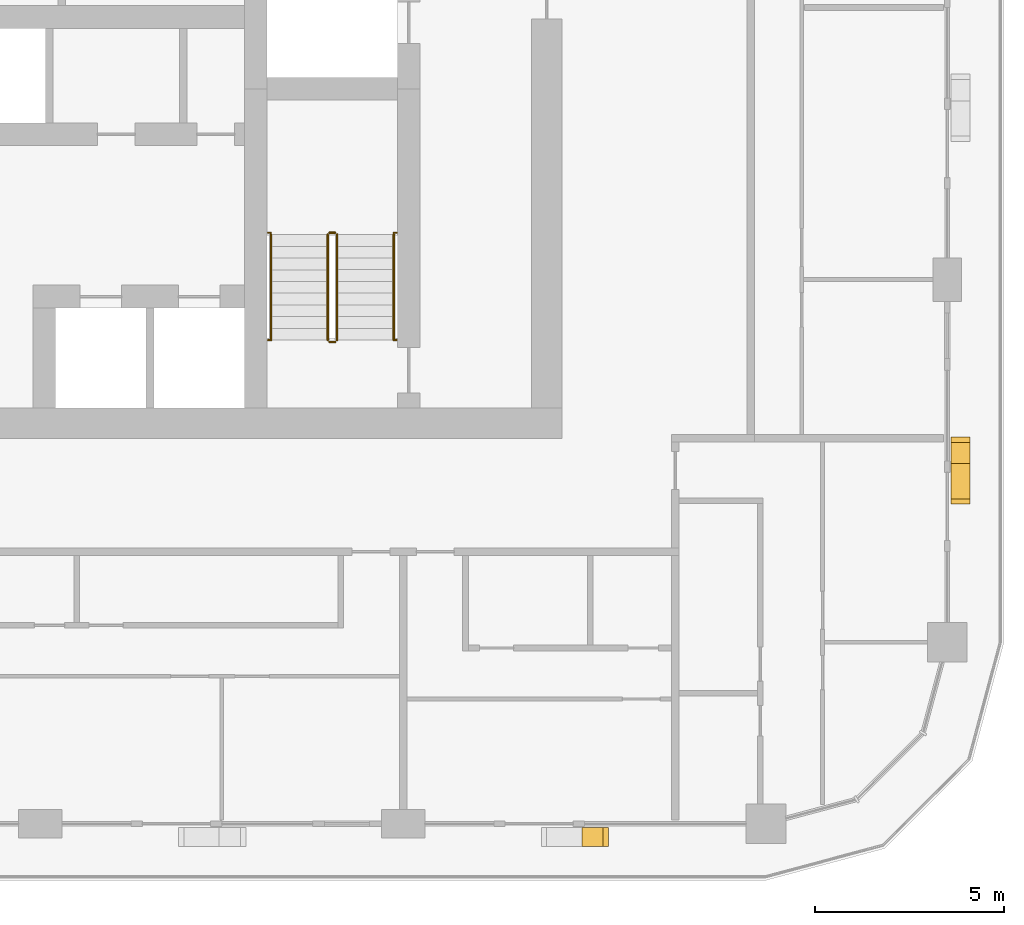
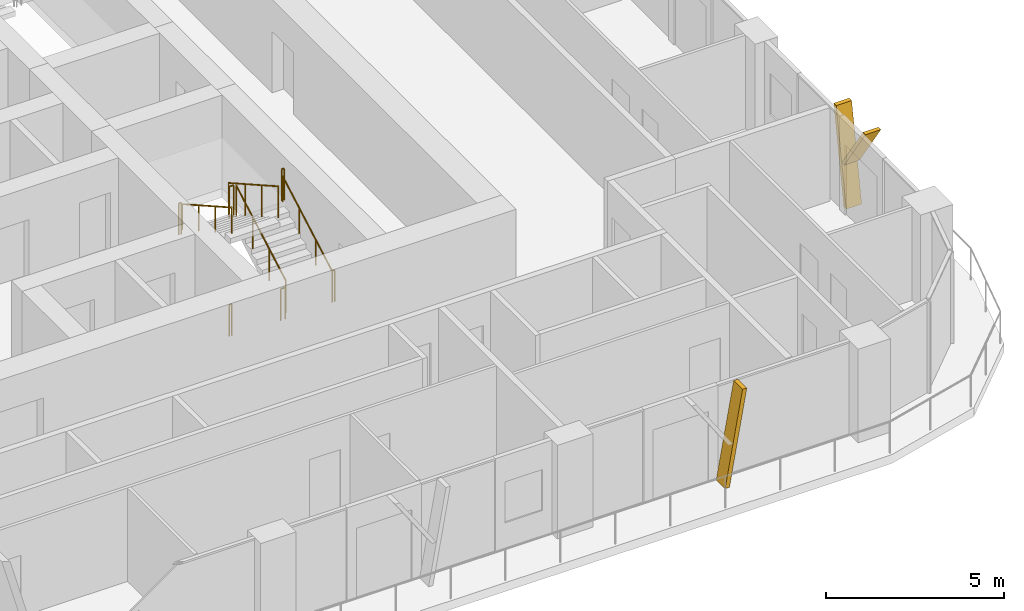
# One storey, part 19 of 22: 10 railings, 3 shading devices.
"""IFC4 building model written with IfcOpenShell, lengths in metres."""

from ifc_helpers import new_model, si_unit, direction, frame, origin, origin_2d, place, context, subcontext, project, spatial, polyline, circle, outline, extrude, material, type_object, element, save


model = new_model("IFC4")

# Units and contexts
model_context = context("Model", 3, precision=1e-05, world=origin(), true_north=direction((0.0, 1.0)))
body_context = subcontext(model_context, "Body", "Model", "MODEL_VIEW")
ifc_project = project(units=[si_unit("LENGTHUNIT", "METRE"), si_unit("AREAUNIT", "SQUARE_METRE"), si_unit("VOLUMEUNIT", "CUBIC_METRE"), si_unit("PLANEANGLEUNIT", "RADIAN"), si_unit("MASSUNIT", "GRAM", prefix="KILO")], contexts=[model_context])

# Site, building, storey
site_placement = place(None, origin())
site = spatial("IfcSite", under=ifc_project, at=site_placement, CompositionType="ELEMENT")
building_placement = place(site_placement, origin())
building = spatial("IfcBuilding", under=site, at=building_placement, Name="Madar Terraces", CompositionType="ELEMENT")
storey_placement = place(building_placement, frame((0.0, 0.0, 126.10009765625)))
storey = spatial("IfcBuildingStorey", under=building, at=storey_placement, Name="L32", CompositionType="ELEMENT", Elevation=126.10009765625)

# Shading devices
ifc_material_1 = material(Name="Aluminium, black anodised", Category="aluminium")
shading_device_type = type_object("IfcShadingDeviceType", Name="Facade fin blade 140 x 500", PredefinedType="USERDEFINED", material=ifc_material_1)
shading_device_1_placement = place(storey_placement, frame((47.929931640625, 4.449951171875, 0.0), z_axis=(0.0, 0.0, 1.0), x_axis=(1.0, 0.0, 0.0)))
element("IfcShadingDevice", 1, at=shading_device_1_placement, inside=storey, type_object=shading_device_type, Name="FIN L32 S5", ObjectType="FIN", PredefinedType="USERDEFINED", context=body_context, shape_type="SweptSolid", body=[
    extrude(outline(polyline([(0.0, 0.0), (0.14013671875, 0.0), (0.704345703125, 3.199951171875), (0.564208984375, 3.199951171875), (0.0, 0.0)])), frame((0.0, 0.25, 0.0), z_axis=(0.0, -1.0, 0.0), x_axis=(1.0, 0.0, 0.0)), (0.0, 0.0, 1.0), 0.5),
])
shading_device_2_placement = place(storey_placement, frame((57.949951171875, 14.330078125, 0.0), z_axis=(0.0, 0.0, 1.0), x_axis=(0.0, 1.0, 0.0)))
element("IfcShadingDevice", 2, at=shading_device_2_placement, inside=storey, type_object=shading_device_type, Name="FIN L32 E1", ObjectType="FIN", PredefinedType="USERDEFINED", context=body_context, shape_type="SweptSolid", body=[
    extrude(outline(polyline([(0.0, 0.0), (0.139892578125, 0.0), (0.704345703125, 3.199951171875), (0.564208984375, 3.199951171875), (0.0, 0.0)])), frame((0.0, 0.25, 0.0), z_axis=(0.0, -1.0, 0.0), x_axis=(1.0, 0.0, 0.0)), (0.0, 0.0, 1.0), 0.5),
])
shading_device_3_placement = place(storey_placement, frame((57.949951171875, 14.44384765625, 1.43994140625), z_axis=(0.0, 0.0, 1.0), x_axis=(0.0, 1.0, 0.0)))
element("IfcShadingDevice", 3, at=shading_device_3_placement, inside=storey, type_object=shading_device_type, Name="FIN L32 E1 branch", ObjectType="FIN", PredefinedType="USERDEFINED", context=body_context, shape_type="SweptSolid", body=[
    extrude(outline(polyline([(0.0, 0.0), (0.14013671875, 0.0), (-1.049560546875, 1.760009765625), (-1.189697265625, 1.760009765625), (0.0, 0.0)])), frame((0.0, 0.25, 0.0), z_axis=(0.0, -1.0, 0.0), x_axis=(1.0, 0.0, 0.0)), (0.0, 0.0, 1.0), 0.5),
])

# Railings
ifc_material_2 = material(Name="Stainless steel railing", Category="steel")
railing_type_1 = type_object("IfcRailingType", Name="Stair guard 1100", PredefinedType="GUARDRAIL", material=ifc_material_2)
railing_1_placement = place(storey_placement, frame((41.449951171875, 17.60009765625, 0.1748046875)))
element("IfcRailing", 4, at=railing_1_placement, inside=storey, type_object=railing_type_1, Name="L32 ST3 stair guard 1", PredefinedType="GUARDRAIL", context=body_context, shape_type="SweptSolid", body=[
    extrude(circle(Radius=0.02392578125, at=origin_2d()), frame((0.0, 0.0, 1.076171875), z_axis=(0.0, 0.870782738816, 0.491667999549), x_axis=(-1.0, 0.0, 0.0)), (0.0, 0.0, 1.0), 3.203857421875),
    extrude(circle(Radius=0.02099609375, at=origin_2d()), origin(), (0.0, 0.0, 1.0), 1.052001953125),
    extrude(circle(Radius=0.02099609375, at=origin_2d()), frame((0.0, 0.929931640625, 0.525146484375)), (0.0, 0.0, 1.0), 1.052001953125),
    extrude(circle(Radius=0.02099609375, at=origin_2d()), frame((0.0, 1.85986328125, 1.050048828125)), (0.0, 0.0, 1.0), 1.052001953125),
    extrude(circle(Radius=0.02099609375, at=origin_2d()), frame((0.0, 2.789794921875, 1.5751953125)), (0.0, 0.0, 1.0), 1.052001953125),
])
railing_2_placement = place(storey_placement, frame((41.39990234375, 20.43994140625, 1.75)))
element("IfcRailing", 5, at=railing_2_placement, inside=storey, type_object=railing_type_1, Name="L32 ST3 stair guard 2", PredefinedType="GUARDRAIL", context=body_context, shape_type="SweptSolid", body=[
    extrude(circle(Radius=0.02392578125, at=origin_2d()), frame((0.0, 0.0, 1.076171875), z_axis=(-1.0, 0.0, 0.0), x_axis=(0.0, -1.0, 0.0)), (0.0, 0.0, 1.0), 0.14990234375),
    extrude(circle(Radius=0.02099609375, at=origin_2d()), origin(), (0.0, 0.0, 1.0), 1.052001953125),
    extrude(circle(Radius=0.02099609375, at=origin_2d()), frame((-0.14990234375, 0.0, 0.0)), (0.0, 0.0, 1.0), 1.052001953125),
])
railing_3_placement = place(storey_placement, frame((41.199951171875, 20.389892578125, 1.9248046875)))
element("IfcRailing", 6, at=railing_3_placement, inside=storey, type_object=railing_type_1, Name="L32 ST3 stair guard 3", PredefinedType="GUARDRAIL", context=body_context, shape_type="SweptSolid", body=[
    extrude(circle(Radius=0.02392578125, at=origin_2d()), frame((0.0, 0.0, 1.076171875), z_axis=(0.0, -0.870782738816, 0.491667999549), x_axis=(1.0, 0.0, 0.0)), (0.0, 0.0, 1.0), 3.203857421875),
    extrude(circle(Radius=0.02099609375, at=origin_2d()), origin(), (0.0, 0.0, 1.0), 1.052001953125),
    extrude(circle(Radius=0.02099609375, at=origin_2d()), frame((0.0, -0.929931640625, 0.525146484375)), (0.0, 0.0, 1.0), 1.052001953125),
    extrude(circle(Radius=0.02099609375, at=origin_2d()), frame((0.0, -1.85986328125, 1.050048828125)), (0.0, 0.0, 1.0), 1.052001953125),
    extrude(circle(Radius=0.02099609375, at=origin_2d()), frame((0.0, -2.789794921875, 1.5751953125)), (0.0, 0.0, 1.0), 1.052001953125),
])
railing_4_placement = place(storey_placement, frame((41.39990234375, 17.550048828125, 0.0)))
element("IfcRailing", 7, at=railing_4_placement, inside=storey, type_object=railing_type_1, Name="L32 ST3 stair guard 4", PredefinedType="GUARDRAIL", context=body_context, shape_type="SweptSolid", body=[
    extrude(circle(Radius=0.02392578125, at=origin_2d()), frame((0.0, 0.0, 1.076171875), z_axis=(-1.0, 0.0, 0.0), x_axis=(0.0, -1.0, 0.0)), (0.0, 0.0, 1.0), 0.14990234375),
    extrude(circle(Radius=0.02099609375, at=origin_2d()), origin(), (0.0, 0.0, 1.0), 1.052001953125),
    extrude(circle(Radius=0.02099609375, at=origin_2d()), frame((-0.14990234375, 0.0, 0.0)), (0.0, 0.0, 1.0), 1.052001953125),
])
railing_5_placement = place(storey_placement, frame((39.6201171875, 20.43994140625, 1.75)))
element("IfcRailing", 8, at=railing_5_placement, inside=storey, type_object=railing_type_1, Name="L32 stair guard seat 1", PredefinedType="GUARDRAIL", context=body_context, shape_type="SweptSolid", body=[
    extrude(circle(Radius=0.02392578125, at=origin_2d()), frame((0.0, 0.0, 1.076171875), z_axis=(1.0, 0.0, 0.0), x_axis=(0.0, 1.0, 0.0)), (0.0, 0.0, 1.0), 0.079833984375),
    extrude(circle(Radius=0.02099609375, at=origin_2d()), origin(), (0.0, 0.0, 1.0), 1.052001953125),
    extrude(circle(Radius=0.02099609375, at=origin_2d()), frame((0.079833984375, 0.0, 0.0)), (0.0, 0.0, 1.0), 1.052001953125),
])
railing_6_placement = place(storey_placement, frame((42.949951171875, 20.43994140625, 1.75)))
element("IfcRailing", 9, at=railing_6_placement, inside=storey, type_object=railing_type_1, Name="L32 stair guard seat 2", PredefinedType="GUARDRAIL", context=body_context, shape_type="SweptSolid", body=[
    extrude(circle(Radius=0.02392578125, at=origin_2d()), frame((0.0, 0.0, 1.076171875), z_axis=(1.0, 0.0, 0.0), x_axis=(0.0, 1.0, 0.0)), (0.0, 0.0, 1.0), 0.080078125),
    extrude(circle(Radius=0.02099609375, at=origin_2d()), origin(), (0.0, 0.0, 1.0), 1.052001953125),
    extrude(circle(Radius=0.02099609375, at=origin_2d()), frame((0.080078125, 0.0, 0.0)), (0.0, 0.0, 1.0), 1.052001953125),
])
railing_7_placement = place(storey_placement, frame((39.6201171875, 17.60009765625, 0.0)))
element("IfcRailing", 10, at=railing_7_placement, inside=storey, type_object=railing_type_1, Name="L32 stair guard floor 1", PredefinedType="GUARDRAIL", context=body_context, shape_type="SweptSolid", body=[
    extrude(circle(Radius=0.02392578125, at=origin_2d()), frame((0.0, 0.0, 1.076171875), z_axis=(1.0, 0.0, 0.0), x_axis=(0.0, 1.0, 0.0)), (0.0, 0.0, 1.0), 0.079833984375),
    extrude(circle(Radius=0.02099609375, at=origin_2d()), origin(), (0.0, 0.0, 1.0), 1.052001953125),
    extrude(circle(Radius=0.02099609375, at=origin_2d()), frame((0.079833984375, 0.0, 0.0)), (0.0, 0.0, 1.0), 1.052001953125),
])
railing_8_placement = place(storey_placement, frame((42.949951171875, 17.60009765625, 0.0)))
element("IfcRailing", 11, at=railing_8_placement, inside=storey, type_object=railing_type_1, Name="L32 stair guard floor 2", PredefinedType="GUARDRAIL", context=body_context, shape_type="SweptSolid", body=[
    extrude(circle(Radius=0.02392578125, at=origin_2d()), frame((0.0, 0.0, 1.076171875), z_axis=(1.0, 0.0, 0.0), x_axis=(0.0, 1.0, 0.0)), (0.0, 0.0, 1.0), 0.080078125),
    extrude(circle(Radius=0.02099609375, at=origin_2d()), origin(), (0.0, 0.0, 1.0), 1.052001953125),
    extrude(circle(Radius=0.02099609375, at=origin_2d()), frame((0.080078125, 0.0, 0.0)), (0.0, 0.0, 1.0), 1.052001953125),
])
ifc_material_3 = material(Name="Stainless steel railing", Category="steel")
railing_type_2 = type_object("IfcRailingType", Name="Stair handrail 900", PredefinedType="HANDRAIL", material=ifc_material_3)
railing_9_placement = place(storey_placement, frame((42.949951171875, 17.60009765625, 0.1748046875)))
element("IfcRailing", 12, at=railing_9_placement, inside=storey, type_object=railing_type_2, Name="L32 ST3 stair handrail 1", PredefinedType="HANDRAIL", context=body_context, shape_type="SweptSolid", body=[
    extrude(circle(Radius=0.02392578125, at=origin_2d()), frame((0.0, 0.0, 0.8759765625), z_axis=(0.0, 0.870782738816, 0.491667999549), x_axis=(-1.0, 0.0, 0.0)), (0.0, 0.0, 1.0), 3.203857421875),
    extrude(circle(Radius=0.02099609375, at=origin_2d()), origin(), (0.0, 0.0, 1.0), 0.851806640625),
    extrude(circle(Radius=0.02099609375, at=origin_2d()), frame((0.0, 0.929931640625, 0.525146484375)), (0.0, 0.0, 1.0), 0.851806640625),
    extrude(circle(Radius=0.02099609375, at=origin_2d()), frame((0.0, 1.85986328125, 1.050048828125)), (0.0, 0.0, 1.0), 0.851806640625),
    extrude(circle(Radius=0.02099609375, at=origin_2d()), frame((0.0, 2.789794921875, 1.5751953125)), (0.0, 0.0, 1.0), 0.851806640625),
])
railing_10_placement = place(storey_placement, frame((39.699951171875, 20.389892578125, 1.9248046875)))
element("IfcRailing", 13, at=railing_10_placement, inside=storey, type_object=railing_type_2, Name="L32 ST3 stair handrail 2", PredefinedType="HANDRAIL", context=body_context, shape_type="SweptSolid", body=[
    extrude(circle(Radius=0.02392578125, at=origin_2d()), frame((0.0, 0.0, 0.8759765625), z_axis=(0.0, -0.870782738816, 0.491667999549), x_axis=(1.0, 0.0, 0.0)), (0.0, 0.0, 1.0), 3.203857421875),
    extrude(circle(Radius=0.02099609375, at=origin_2d()), origin(), (0.0, 0.0, 1.0), 0.851806640625),
    extrude(circle(Radius=0.02099609375, at=origin_2d()), frame((0.0, -0.929931640625, 0.525146484375)), (0.0, 0.0, 1.0), 0.851806640625),
    extrude(circle(Radius=0.02099609375, at=origin_2d()), frame((0.0, -1.85986328125, 1.050048828125)), (0.0, 0.0, 1.0), 0.851806640625),
    extrude(circle(Radius=0.02099609375, at=origin_2d()), frame((0.0, -2.789794921875, 1.5751953125)), (0.0, 0.0, 1.0), 0.851806640625),
])

save(model, "model.ifc")
